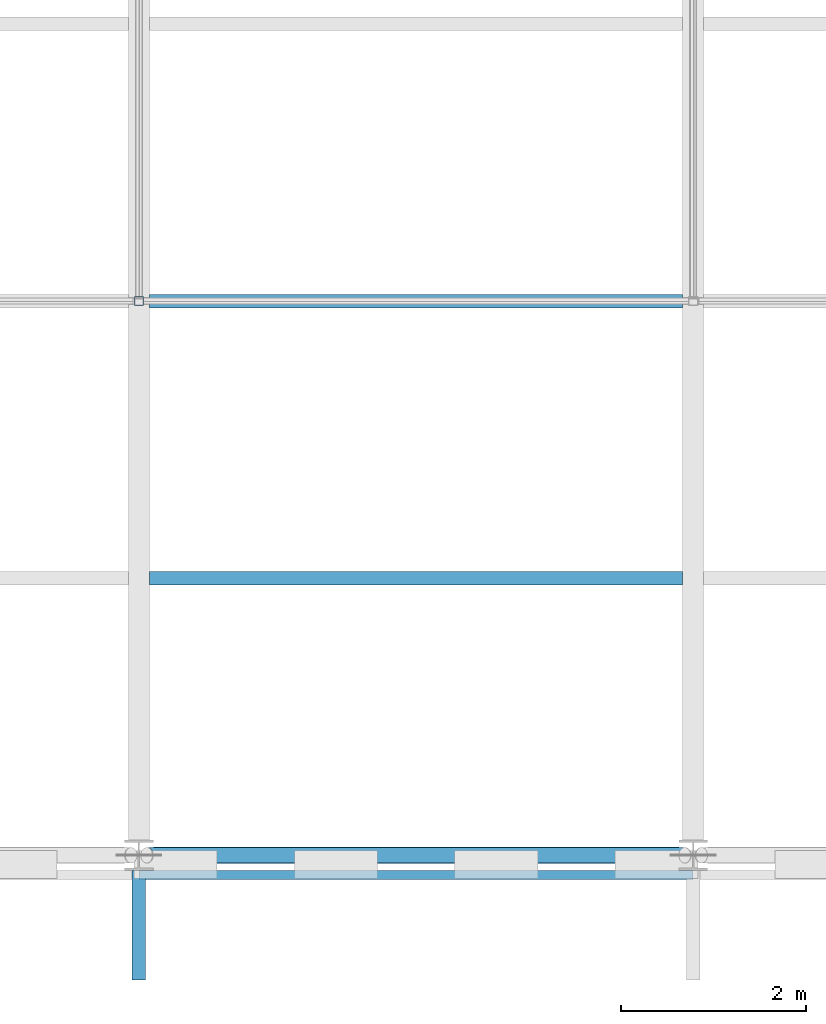
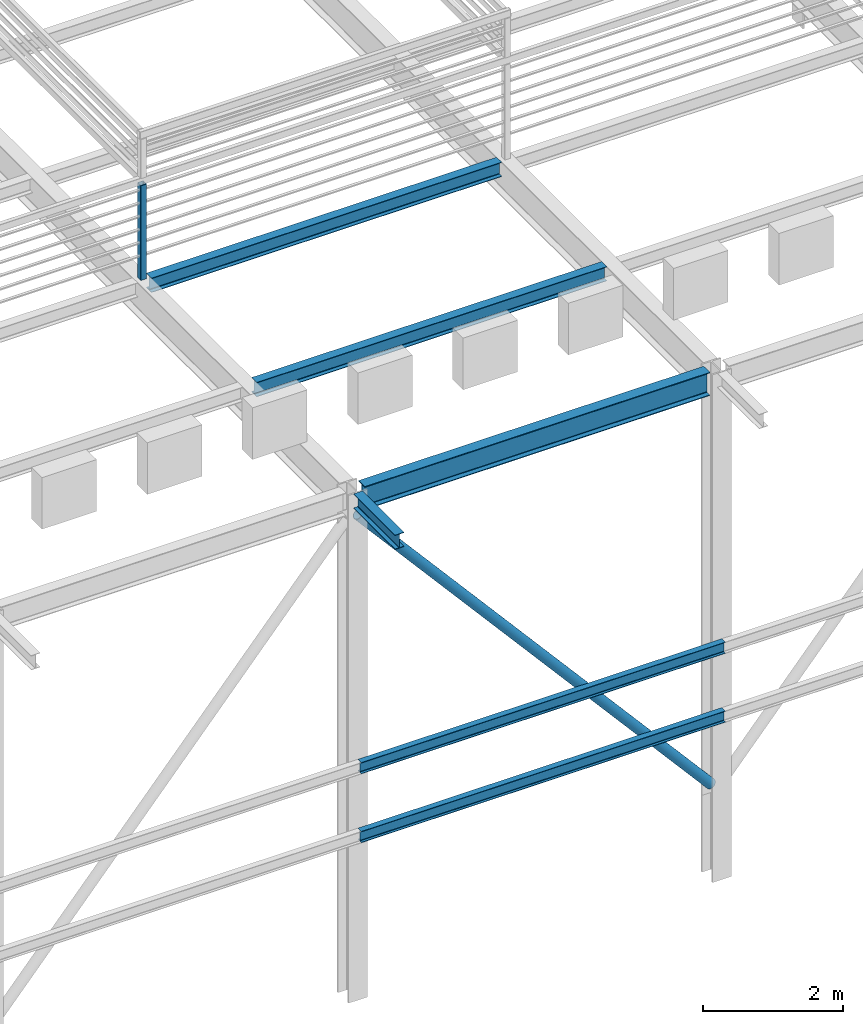
# One storey, part 6 of 57: 6 beams, 2 members.
"""IFC4 building model written with IfcOpenShell, lengths in metres."""

from ifc_helpers import new_model, si_unit, direction, frame, origin, origin_2d, place, context, subcontext, project, spatial, hollow_rectangle, hollow_circle, i_section, extrude, material, material_profile, profile_set, type_object, element, save


model = new_model("IFC4")

# Units and contexts
model_context = context("Model", 3, precision=1e-05, world=origin(), true_north=direction((0.0, 1.0)))
body_context = subcontext(model_context, "Body", "Model", "MODEL_VIEW")
ifc_project = project(units=[si_unit("LENGTHUNIT", "METRE"), si_unit("AREAUNIT", "SQUARE_METRE"), si_unit("VOLUMEUNIT", "CUBIC_METRE"), si_unit("PLANEANGLEUNIT", "RADIAN"), si_unit("MASSUNIT", "GRAM", prefix="KILO")], contexts=[model_context])

# Site, building, storey
site_placement = place(None, origin())
site = spatial("IfcSite", under=ifc_project, at=site_placement, CompositionType="ELEMENT")
building_placement = place(site_placement, origin())
building = spatial("IfcBuilding", under=site, at=building_placement, Name="Saffron Lane Theatres", CompositionType="ELEMENT")
storey_placement = place(building_placement, frame((0.0, 0.0, 28.0)))
storey = spatial("IfcBuildingStorey", under=building, at=storey_placement, Name="Upper Roof", CompositionType="ELEMENT", Elevation=28.0)

# Member
ifc_material_1 = material(Name="Steel Grade 350", Category="steel")
ifc_material_profile_1 = material_profile(ifc_material_1, hollow_rectangle(XDim=0.10009765625, YDim=0.10009765625, WallThickness=0.006103515625, InnerFilletRadius=0.0029296875, OuterFilletRadius=0.009033203125, at=origin_2d()))
ifc_profile_set_1 = profile_set([ifc_material_profile_1], Name="Steel Grade 350")
member_type_1 = type_object("IfcMemberType", Name="ST-LANTERN POST 100x100x6 SHS", PredefinedType="POST", material=ifc_profile_set_1)
member_1_placement = place(storey_placement, frame((30.0, 36.25, 8.85009765625), z_axis=(0.0, 0.0, 1.0), x_axis=(1.0, 0.0, 0.0)))
element("IfcMember", 1, at=member_1_placement, inside=storey, type_object=member_type_1, Name="LP4", PredefinedType="POST", context=body_context, shape_type="SweptSolid", body=[
    extrude(hollow_rectangle(XDim=0.10009765625, YDim=0.10009765625, WallThickness=0.006103515625, InnerFilletRadius=0.0029296875, OuterFilletRadius=0.009033203125, at=origin_2d()), origin(), (0.0, 0.0, 1.0), 1.64990234375),
])

# Beams
ifc_material_2 = material(Name="Steel Grade 350", Category="steel")
ifc_material_profile_2 = material_profile(ifc_material_2, i_section(OverallWidth=0.177978515625, OverallDepth=0.406005859375, WebThickness=0.0078125, FlangeThickness=0.0126953125, FilletRadius=0.010986328125, at=origin_2d()))
ifc_profile_set_2 = profile_set([ifc_material_profile_2], Name="Steel Grade 350")
beam_type_1 = type_object("IfcBeamType", Name="ST-ROOF GIRDER 410UB59.7", PredefinedType="BEAM", material=ifc_profile_set_2)
beam_1_placement = place(storey_placement, frame((30.155517578125, 30.25, 8.64697265625), z_axis=(1.0, 0.0, 0.0), x_axis=(0.0, 1.0, 0.0)))
element("IfcBeam", 2, at=beam_1_placement, inside=storey, type_object=beam_type_1, Name="TR3", PredefinedType="BEAM", context=body_context, shape_type="SweptSolid", body=[
    extrude(i_section(OverallWidth=0.177978515625, OverallDepth=0.406005859375, WebThickness=0.0078125, FlangeThickness=0.0126953125, FilletRadius=0.010986328125, at=origin_2d()), origin(), (0.0, 0.0, 1.0), 5.68896484375),
])
ifc_material_3 = material(Name="Steel Grade 350", Category="steel")
ifc_material_profile_3 = material_profile(ifc_material_3, i_section(OverallWidth=0.14599609375, OverallDepth=0.251953125, WebThickness=0.006103515625, FlangeThickness=0.008544921875, FilletRadius=0.011962890625, at=origin_2d()))
ifc_profile_set_3 = profile_set([ifc_material_profile_3], Name="Steel Grade 350")
beam_type_2 = type_object("IfcBeamType", Name="ST-ROOF JOIST 250UB31.4", PredefinedType="JOIST", material=ifc_profile_set_3)
for number, where, z_axis, x_axis, name in (
    (3, (30.114013671875, 33.25, 8.72412109375), (1.0, 0.0, 0.0), (0.0, 1.0, 0.0), "TT3"),
    (4, (30.114013671875, 36.25, 8.72412109375), (1.0, 0.0, 0.0), (0.0, 1.0, 0.0), "TT8"),
):
    element("IfcBeam", number, at=place(storey_placement, frame(where, z_axis=z_axis, x_axis=x_axis)), inside=storey, type_object=beam_type_2, Name=name, PredefinedType="JOIST", context=body_context, shape_type="SweptSolid", body=[
        extrude(i_section(OverallWidth=0.14599609375, OverallDepth=0.251953125, WebThickness=0.006103515625, FlangeThickness=0.008544921875, FilletRadius=0.011962890625, at=origin_2d()), origin(), (0.0, 0.0, 1.0), 5.77197265625),
    ])
beam_2_placement = place(storey_placement, frame((30.0, 30.08642578125, 8.72412109375), z_axis=(0.0, -1.0, 0.0), x_axis=(1.0, 0.0, 0.0)))
element("IfcBeam", 5, at=beam_2_placement, inside=storey, type_object=beam_type_2, Name="TE3", PredefinedType="JOIST", context=body_context, shape_type="SweptSolid", body=[
    extrude(i_section(OverallWidth=0.14599609375, OverallDepth=0.251953125, WebThickness=0.006103515625, FlangeThickness=0.008544921875, FilletRadius=0.011962890625, at=origin_2d()), origin(), (0.0, 0.0, 1.0), 1.1865234375),
])

# Member
ifc_material_4 = material(Name="Steel Grade 350", Category="steel")
ifc_material_profile_4 = material_profile(ifc_material_4, hollow_circle(Radius=0.084228515625, WallThickness=0.00634765625, at=origin_2d()))
ifc_profile_set_4 = profile_set([ifc_material_profile_4], Name="Steel Grade 350")
member_type_2 = type_object("IfcMemberType", Name="ST-TOWER BRACE HI 168.3x6.4 CHS", PredefinedType="BRACE", material=ifc_profile_set_4)
member_2_placement = place(storey_placement, frame((35.908447265625, 30.25, 1.60595703125), z_axis=(-0.653796315822, 0.0, 0.756670587123), x_axis=(0.0, -1.0, 0.0)))
element("IfcMember", 6, at=member_2_placement, inside=storey, type_object=member_type_2, Name="TB6", PredefinedType="BRACE", context=body_context, shape_type="SweptSolid", body=[
    extrude(hollow_circle(Radius=0.084228515625, WallThickness=0.00634765625, at=origin_2d()), origin(), (0.0, 0.0, 1.0), 8.897216796875),
])

# Beams
ifc_material_5 = material(Name="Steel Grade 350", Category="steel")
ifc_material_profile_5 = material_profile(ifc_material_5, i_section(OverallWidth=0.09912109375, OverallDepth=0.197998046875, WebThickness=0.00439453125, FlangeThickness=0.007080078125, FilletRadius=0.010986328125, at=origin_2d()))
ifc_profile_set_5 = profile_set([ifc_material_profile_5], Name="Steel Grade 350")
beam_type_3 = type_object("IfcBeamType", Name="ST-TOWER GIRT 200UB18.2", PredefinedType="BEAM", material=ifc_profile_set_5)
for number, where, z_axis, x_axis, name in (
    (7, (30.0, 30.037109375, 2.90087890625), (1.0, 0.0, 0.0), (0.0, 1.0, 0.0), "TX18"),
    (8, (30.0, 30.037109375, 4.10107421875), (1.0, 0.0, 0.0), (0.0, 1.0, 0.0), "TX23"),
):
    element("IfcBeam", number, at=place(storey_placement, frame(where, z_axis=z_axis, x_axis=x_axis)), inside=storey, type_object=beam_type_3, Name=name, PredefinedType="BEAM", context=body_context, shape_type="SweptSolid", body=[
        extrude(i_section(OverallWidth=0.09912109375, OverallDepth=0.197998046875, WebThickness=0.00439453125, FlangeThickness=0.007080078125, FilletRadius=0.010986328125, at=origin_2d()), origin(), (0.0, 0.0, 1.0), 6.0),
    ])

save(model, "model.ifc")
